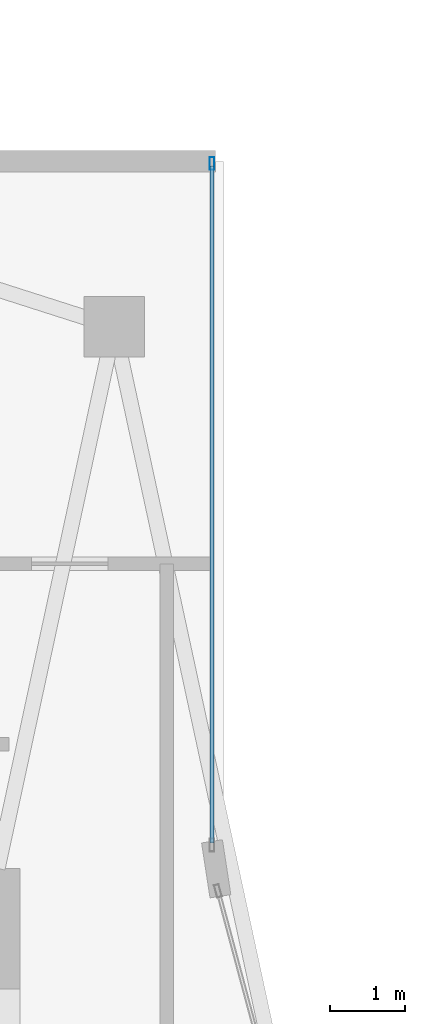
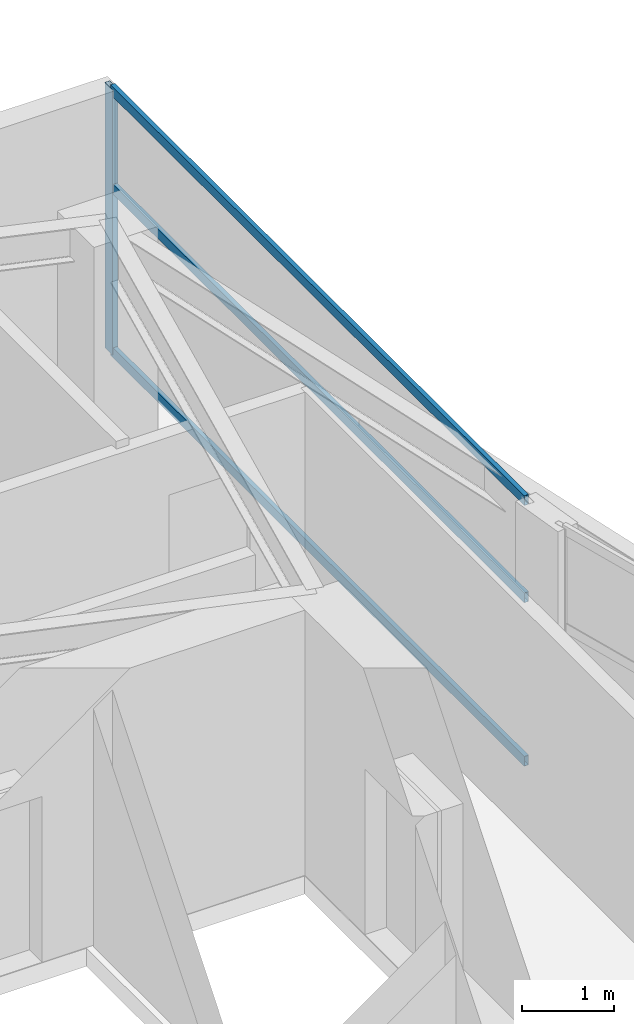
# One storey, part 19 of 27: 4 members, 1 element without a shape of its own.
"""IFC4 building model written with IfcOpenShell, lengths in metres."""

from ifc_helpers import new_model, si_unit, direction, frame, origin, origin_2d, place, context, subcontext, project, spatial, hollow_rectangle, extrude, material, layer, layer_set, material_profile, profile_set, type_object, element, aggregate, save


model = new_model("IFC4")

# Units and contexts
model_context = context("Model", 3, precision=1e-05, world=origin(), true_north=direction((0.0, 1.0)))
body_context = subcontext(model_context, "Body", "Model", "MODEL_VIEW")
ifc_project = project(units=[si_unit("LENGTHUNIT", "METRE"), si_unit("AREAUNIT", "SQUARE_METRE"), si_unit("VOLUMEUNIT", "CUBIC_METRE"), si_unit("PLANEANGLEUNIT", "RADIAN"), si_unit("MASSUNIT", "GRAM", prefix="KILO")], contexts=[model_context])

# Site, building, storey
site_placement = place(None, origin())
site = spatial("IfcSite", under=ifc_project, at=site_placement, CompositionType="ELEMENT")
building_placement = place(site_placement, origin())
building = spatial("IfcBuilding", under=site, at=building_placement, Name="Calvorn Quay Hotel", CompositionType="ELEMENT")
storey_placement = place(building_placement, frame((0.0, 0.0, 278.699951171875)))
storey = spatial("IfcBuildingStorey", under=building, at=storey_placement, Name="L69", CompositionType="ELEMENT", Elevation=278.699951171875)

# Curtain wall, members
ifc_material_1 = material(Name="Champagne Bronze Anodised Aluminium and Low-E Glass", Category="aluminium")
ifc_layer = layer(ifc_material_1, 0.219970703125)
ifc_layer_set = layer_set([ifc_layer], Name="CW-SYS-Z4")
curtain_wall_type = type_object("IfcCurtainWallType", Name="CW-SYS-Z4", PredefinedType="NOTDEFINED", material=ifc_layer_set)
curtain_wall_placement = place(storey_placement, origin())
curtain_wall = element("IfcCurtainWall", 1, at=curtain_wall_placement, inside=storey, type_object=curtain_wall_type, Name="Inner Court Curtain Wall L69-IC2", PredefinedType="NOTDEFINED")
ifc_material_2 = material(Name="Champagne Bronze Anodised Aluminium 6063-T6", Category="aluminium")
ifc_material_profile_1 = material_profile(ifc_material_2, hollow_rectangle(XDim=0.06494140625, YDim=0.169921875, WallThickness=0.00341796875, at=origin_2d()), Name="ALU-M170x65x3.5")
ifc_profile_set_1 = profile_set([ifc_material_profile_1], Name="Champagne Bronze Anodised Aluminium 6063-T6")
member_type_1 = type_object("IfcMemberType", Name="CW-SYS-Z4-MUL", PredefinedType="MULLION", material=ifc_profile_set_1)
member_1_placement = place(storey_placement, frame((17.85009765625, 47.77001953125, 0.0), z_axis=(0.0, 0.0, 1.0), x_axis=(-1.0, 0.0, 0.0)))
member_1 = element("IfcMember", 2, at=member_1_placement, type_object=member_type_1, Name="CW-L69-IC2 mullion 2", PredefinedType="MULLION", context=body_context, shape_type="SweptSolid", body=[
    extrude(hollow_rectangle(XDim=0.06494140625, YDim=0.169921875, WallThickness=0.00341796875, at=origin_2d()), origin(), (0.0, 0.0, 1.0), 3.52001953125),
])
ifc_material_3 = material(Name="Champagne Bronze Anodised Aluminium 6063-T6", Category="aluminium")
ifc_material_profile_2 = material_profile(ifc_material_3, hollow_rectangle(XDim=0.054931640625, YDim=0.1298828125, WallThickness=0.003173828125, at=origin_2d()), Name="ALU-T130x55x3.2")
ifc_profile_set_2 = profile_set([ifc_material_profile_2], Name="Champagne Bronze Anodised Aluminium 6063-T6")
member_type_2 = type_object("IfcMemberType", Name="CW-SYS-Z4-TRN", PredefinedType="USERDEFINED", material=ifc_profile_set_2)
member_2_placement = place(storey_placement, frame((17.85009765625, 38.739990234375, 0.030029296875), z_axis=(0.0, 1.0, 0.0), x_axis=(-1.0, 0.0, 0.0)))
member_2 = element("IfcMember", 3, at=member_2_placement, type_object=member_type_2, Name="CW-L69-IC2 transom 1.1", ObjectType="TRANSOM", PredefinedType="USERDEFINED", context=body_context, shape_type="SweptSolid", body=[
    extrude(hollow_rectangle(XDim=0.054931640625, YDim=0.1298828125, WallThickness=0.003173828125, at=origin_2d()), origin(), (0.0, 0.0, 1.0), 9.0),
])
member_3_placement = place(storey_placement, frame((17.85009765625, 38.739990234375, 2.199951171875), z_axis=(0.0, 1.0, 0.0), x_axis=(-1.0, 0.0, 0.0)))
member_3 = element("IfcMember", 4, at=member_3_placement, type_object=member_type_2, Name="CW-L69-IC2 transom 1.2", ObjectType="TRANSOM", PredefinedType="USERDEFINED", context=body_context, shape_type="SweptSolid", body=[
    extrude(hollow_rectangle(XDim=0.054931640625, YDim=0.1298828125, WallThickness=0.003173828125, at=origin_2d()), origin(), (0.0, 0.0, 1.0), 9.0),
])
member_4_placement = place(storey_placement, frame((17.85009765625, 38.739990234375, 3.489990234375), z_axis=(0.0, 1.0, 0.0), x_axis=(-1.0, 0.0, 0.0)))
member_4 = element("IfcMember", 5, at=member_4_placement, type_object=member_type_2, Name="CW-L69-IC2 transom 1.3", ObjectType="TRANSOM", PredefinedType="USERDEFINED", context=body_context, shape_type="SweptSolid", body=[
    extrude(hollow_rectangle(XDim=0.054931640625, YDim=0.1298828125, WallThickness=0.003173828125, at=origin_2d()), origin(), (0.0, 0.0, 1.0), 9.0),
])
aggregate(curtain_wall, [member_1, member_2, member_3, member_4])

save(model, "model.ifc")
